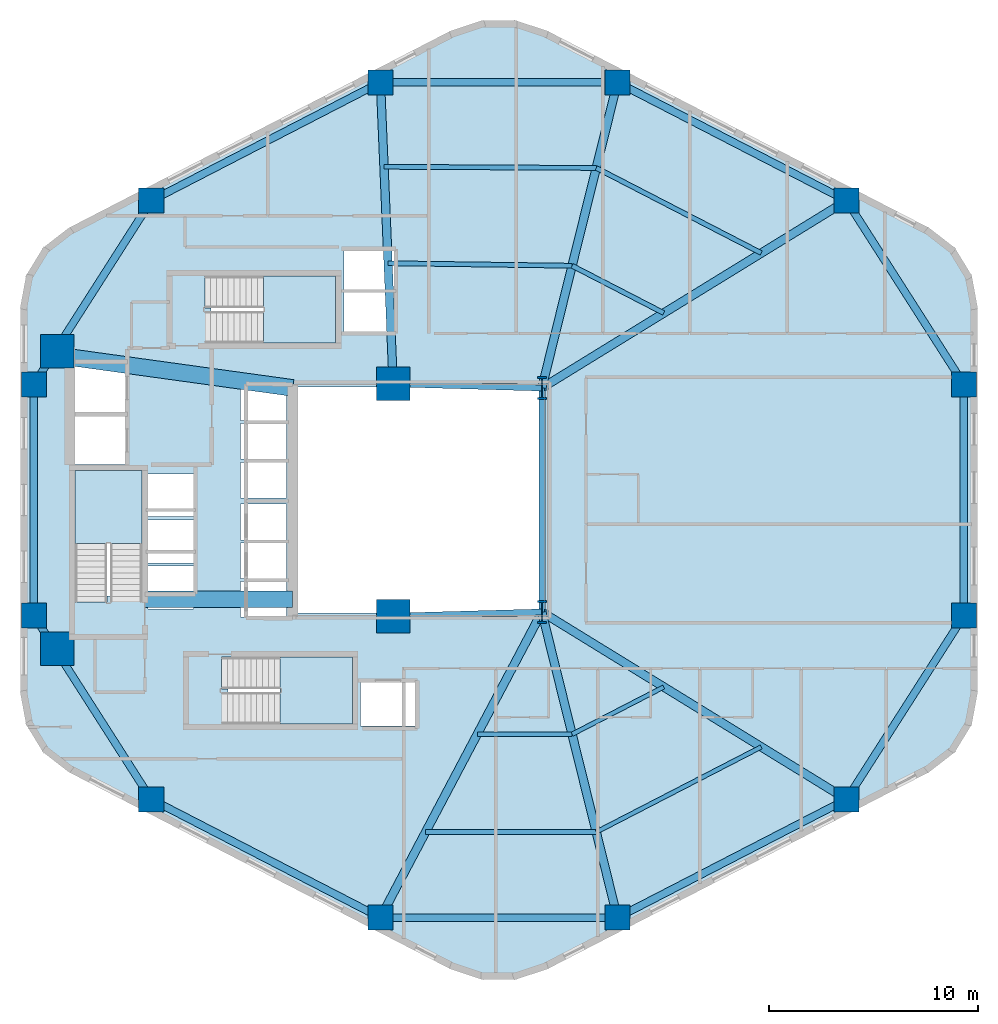
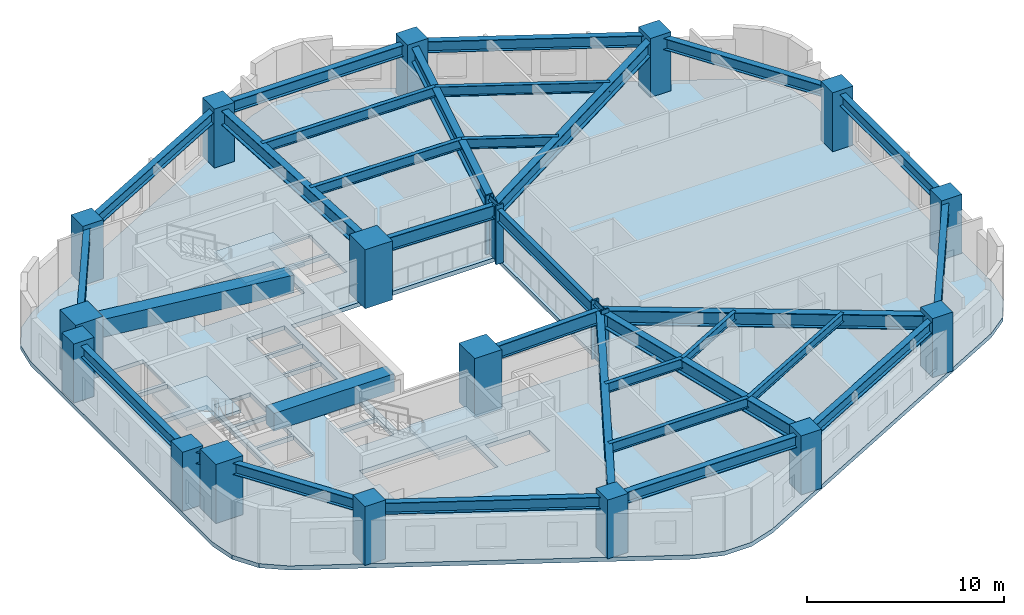
# One storey, part 1 of 7: 31 beams, 18 columns, 4 slabs, 3 elements without a shape of their own.
"""IFC4 building model written with IfcOpenShell, lengths in metres."""

from ifc_helpers import new_model, si_unit, direction, frame, origin, origin_2d, place, context, subcontext, project, spatial, polyline, rectangle, i_section, outline, extrude, material, layer, layer_set, material_profile, profile_set, type_object, element, aggregate, save


model = new_model("IFC4")

# Units and contexts
model_context = context("Model", 3, precision=1e-05, world=origin(), true_north=direction((0.0, 1.0)))
body_context = subcontext(model_context, "Body", "Model", "MODEL_VIEW")
ifc_project = project(units=[si_unit("LENGTHUNIT", "METRE"), si_unit("AREAUNIT", "SQUARE_METRE"), si_unit("VOLUMEUNIT", "CUBIC_METRE"), si_unit("PLANEANGLEUNIT", "RADIAN"), si_unit("MASSUNIT", "GRAM", prefix="KILO"), si_unit("THERMODYNAMICTEMPERATUREUNIT", "KELVIN"), si_unit("POWERUNIT", "WATT")], contexts=[model_context])

# Site, building, storey
site_placement = place(None, origin())
site = spatial("IfcSite", under=ifc_project, at=site_placement, CompositionType="ELEMENT")
building_placement = place(site_placement, origin())
building = spatial("IfcBuilding", under=site, at=building_placement, Name="Skarre Station Tower", CompositionType="ELEMENT")
storey_placement = place(building_placement, frame((0.0, 0.0, 74.449951171875)))
storey = spatial("IfcBuildingStorey", under=building, at=storey_placement, Name="L19", CompositionType="ELEMENT", Elevation=74.449951171875)

# Columns
ifc_material_1 = material(Name="Concrete C60/75", Category="concrete")
ifc_material_profile_1 = material_profile(ifc_material_1, rectangle(XDim=1.199951171875, YDim=1.199951171875, at=origin_2d()), Name="Concrete C60/75")
ifc_profile_set_1 = profile_set([ifc_material_profile_1], Name="Concrete C60/75")
column_type_1 = type_object("IfcColumnType", Name="RC Structural Column RC-COL-1200X1200", PredefinedType="COLUMN", material=ifc_profile_set_1)
for number, where, z_axis, x_axis, name in (
    (1, (54.007080078125, 38.298095703125, 0.0), (0.0, 0.0, 1.0), (1.0, 0.0, 0.0), "L19 Zone 1 Perimeter Column F0C1"),
    (2, (43.06005859375, 43.947021484375, 0.0), (0.0, 0.0, 1.0), (1.0, 0.0, 0.0), "L19 Zone 1 Perimeter Column F0C2"),
    (3, (31.739990234375, 43.947021484375, 0.0), (0.0, 0.0, 1.0), (1.0, 0.0, 0.0), "L19 Zone 1 Perimeter Column F1C1"),
    (4, (20.79296875, 38.298095703125, 0.0), (0.0, 0.0, 1.0), (1.0, 0.0, 0.0), "L19 Zone 1 Perimeter Column F1C2"),
    (5, (15.18701171875, 29.52099609375, 0.0), (0.0, 0.0, 1.0), (1.0, 0.0, 0.0), "L19 Zone 1 Perimeter Column F2C1"),
    (6, (15.18701171875, 18.47900390625, 0.0), (0.0, 0.0, 1.0), (1.0, 0.0, 0.0), "L19 Zone 1 Perimeter Column F2C2"),
    (7, (20.79296875, 9.701904296875, 0.0), (0.0, 0.0, 1.0), (1.0, 0.0, 0.0), "L19 Zone 1 Perimeter Column F3C1"),
    (8, (31.739990234375, 4.052978515625, 0.0), (0.0, 0.0, 1.0), (1.0, 0.0, 0.0), "L19 Zone 1 Perimeter Column F3C2"),
    (9, (43.06005859375, 4.052978515625, 0.0), (0.0, 0.0, 1.0), (1.0, 0.0, 0.0), "L19 Zone 1 Perimeter Column F4C1"),
    (10, (54.007080078125, 9.701904296875, 0.0), (0.0, 0.0, 1.0), (1.0, 0.0, 0.0), "L19 Zone 1 Perimeter Column F4C2"),
    (11, (59.613037109375, 18.47900390625, 0.0), (0.0, 0.0, 1.0), (1.0, 0.0, 0.0), "L19 Zone 1 Perimeter Column F5C1"),
    (12, (59.613037109375, 29.52099609375, 0.0), (0.0, 0.0, 1.0), (1.0, 0.0, 0.0), "L19 Zone 1 Perimeter Column F5C2"),
):
    element("IfcColumn", number, at=place(storey_placement, frame(where, z_axis=z_axis, x_axis=x_axis)), inside=storey, type_object=column_type_1, Name=name, PredefinedType="COLUMN", context=body_context, shape_type="SweptSolid", body=[
        extrude(rectangle(XDim=1.199951171875, YDim=1.199951171875, at=origin_2d()), origin(), (0.0, 0.0, 1.0), 3.650146484375),
    ])
ifc_material_2 = material(Name="Concrete C70/85", Category="concrete")
ifc_material_profile_2 = material_profile(ifc_material_2, rectangle(XDim=1.60009765625, YDim=1.60009765625, at=origin_2d()), Name="Concrete C70/85")
ifc_profile_set_2 = profile_set([ifc_material_profile_2], Name="Concrete C70/85")
column_type_2 = type_object("IfcColumnType", Name="RC Structural Column RC-COL-1600X1600", PredefinedType="COLUMN", material=ifc_profile_set_2)
for number, where, z_axis, x_axis, name in (
    (13, (16.300048828125, 16.89990234375, 0.0), (0.0, 0.0, 1.0), (1.0, 0.0, 0.0), "L19 Core Column CC-SW"),
    (14, (16.300048828125, 31.10009765625, 0.0), (0.0, 0.0, 1.0), (1.0, 0.0, 0.0), "L19 Core Column CC-NW"),
    (15, (32.35009765625, 18.449951171875, 0.0), (0.0, 0.0, 1.0), (1.0, 0.0, 0.0), "L19 Core Column CC-SE"),
    (16, (32.35009765625, 29.550048828125, 0.0), (0.0, 0.0, 1.0), (1.0, 0.0, 0.0), "L19 Core Column CC-NE"),
):
    element("IfcColumn", number, at=place(storey_placement, frame(where, z_axis=z_axis, x_axis=x_axis)), inside=storey, type_object=column_type_2, Name=name, PredefinedType="COLUMN", context=body_context, shape_type="SweptSolid", body=[
        extrude(rectangle(XDim=1.60009765625, YDim=1.60009765625, at=origin_2d()), origin(), (0.0, 0.0, 1.0), 3.650146484375),
    ])
ifc_material_3 = material(Name="Steel ASTM A913 Grade 65", Category="steel")
ifc_material_profile_3 = material_profile(ifc_material_3, i_section(OverallWidth=0.424072265625, OverallDepth=1.092041015625, WebThickness=0.044921875, FlangeThickness=0.08203125, at=origin_2d()), Name="Steel ASTM A913 Grade 65")
ifc_profile_set_3 = profile_set([ifc_material_profile_3], Name="Steel ASTM A913 Grade 65")
column_type_3 = type_object("IfcColumnType", Name="Steel Column W40X593", PredefinedType="COLUMN", material=ifc_profile_set_3)
for number, where, z_axis, x_axis, name in (
    (17, (39.449951171875, 18.64990234375, 0.0), (0.0, 0.0, 1.0), (1.0, 0.0, 0.0), "L19 Atrium Spine Column AC-SE"),
    (18, (39.449951171875, 29.35009765625, 0.0), (0.0, 0.0, 1.0), (1.0, 0.0, 0.0), "L19 Atrium Spine Column AC-NE"),
):
    element("IfcColumn", number, at=place(storey_placement, frame(where, z_axis=z_axis, x_axis=x_axis)), inside=storey, type_object=column_type_3, Name=name, PredefinedType="COLUMN", context=body_context, shape_type="SweptSolid", body=[
        extrude(i_section(OverallWidth=0.424072265625, OverallDepth=1.092041015625, WebThickness=0.044921875, FlangeThickness=0.08203125, at=origin_2d()), origin(), (0.0, 0.0, 1.0), 3.650146484375),
    ])

# Beams
ifc_material_profile_4 = material_profile(ifc_material_2, rectangle(XDim=0.800048828125, YDim=1.10009765625, at=origin_2d()), Name="Concrete C70/85")
ifc_profile_set_4 = profile_set([ifc_material_profile_4], Name="Concrete C70/85")
beam_type_1 = type_object("IfcBeamType", Name="RC Core Coupling Lintel 800x1100", PredefinedType="LINTEL", material=ifc_profile_set_4)
beam_1_placement = place(storey_placement, frame((20.489990234375, 19.260009765625, 2.840087890625), z_axis=(1.0, 0.0, 0.0), x_axis=(0.0, 1.0, 0.0)))
element("IfcBeam", 19, at=beam_1_placement, inside=storey, type_object=beam_type_1, Name="L19 South Core Coupling Lintel", PredefinedType="LINTEL", context=body_context, shape_type="SweptSolid", body=[
    extrude(rectangle(XDim=0.800048828125, YDim=1.10009765625, at=origin_2d()), origin(), (0.0, 0.0, 1.0), 7.06005859375),
])
beam_2_placement = place(storey_placement, frame((17.050048828125, 30.800048828125, 2.840087890625), z_axis=(0.990599723633, -0.136792498109, 0.0), x_axis=(0.136792498109, 0.990599723633, 0.0)))
element("IfcBeam", 20, at=beam_2_placement, inside=storey, type_object=beam_type_1, Name="L19 North Core Coupling Lintel", PredefinedType="LINTEL", context=body_context, shape_type="SweptSolid", body=[
    extrude(rectangle(XDim=0.800048828125, YDim=1.10009765625, at=origin_2d()), origin(), (0.0, 0.0, 1.0), 10.599609375),
])
ifc_material_4 = material(Name="Steel ASTM A992 Grade 50", Category="steel")
ifc_material_profile_5 = material_profile(ifc_material_4, i_section(OverallWidth=0.26806640625, OverallDepth=0.77001953125, WebThickness=0.01611328125, FlangeThickness=0.02490234375, at=origin_2d()), Name="Steel ASTM A992 Grade 50")
ifc_profile_set_5 = profile_set([ifc_material_profile_5], Name="Steel ASTM A992 Grade 50")
beam_type_2 = type_object("IfcBeamType", Name="Steel Beam W30X132", PredefinedType="BEAM", material=ifc_profile_set_5)
beam_3_placement = place(storey_placement, frame((39.449951171875, 18.64990234375, 3.005126953125), z_axis=(0.0, 1.0, 0.0), x_axis=(-1.0, 0.0, 0.0)))
element("IfcBeam", 21, at=beam_3_placement, inside=storey, type_object=beam_type_2, Name="L19 Atrium East Edge Girder", PredefinedType="BEAM", context=body_context, shape_type="SweptSolid", body=[
    extrude(i_section(OverallWidth=0.26806640625, OverallDepth=0.77001953125, WebThickness=0.01611328125, FlangeThickness=0.02490234375, at=origin_2d()), origin(), (0.0, 0.0, 1.0), 10.7001953125),
])
ifc_material_profile_6 = material_profile(ifc_material_4, i_section(OverallWidth=0.2919921875, OverallDepth=0.85888671875, WebThickness=0.01708984375, FlangeThickness=0.031005859375, at=origin_2d()), Name="Steel ASTM A992 Grade 50")
ifc_profile_set_6 = profile_set([ifc_material_profile_6], Name="Steel ASTM A992 Grade 50")
beam_type_3 = type_object("IfcBeamType", Name="Steel Beam W33X169", PredefinedType="BEAM", material=ifc_profile_set_6)
for number, where, z_axis, x_axis, name in (
    (22, (32.35009765625, 18.449951171875, 2.9599609375), (0.999603666405, 0.028151556095, 0.0), (-0.028151556095, 0.999603666405, 0.0), "L19 Atrium South Edge Girder"),
    (23, (32.35009765625, 29.550048828125, 2.9599609375), (0.999603666405, -0.028151556095, 0.0), (0.028151556095, 0.999603666405, 0.0), "L19 Atrium North Edge Girder"),
):
    element("IfcBeam", number, at=place(storey_placement, frame(where, z_axis=z_axis, x_axis=x_axis)), inside=storey, type_object=beam_type_3, Name=name, PredefinedType="BEAM", context=body_context, shape_type="SweptSolid", body=[
        extrude(i_section(OverallWidth=0.2919921875, OverallDepth=0.85888671875, WebThickness=0.01708984375, FlangeThickness=0.031005859375, at=origin_2d()), origin(), (0.0, 0.0, 1.0), 7.102783203125),
    ])
ifc_material_profile_7 = material_profile(ifc_material_4, i_section(OverallWidth=0.40087890625, OverallDepth=0.876953125, WebThickness=0.02197265625, FlangeThickness=0.0400390625, at=origin_2d()), Name="Steel ASTM A992 Grade 50")
ifc_profile_set_7 = profile_set([ifc_material_profile_7], Name="Steel ASTM A992 Grade 50")
beam_type_4 = type_object("IfcBeamType", Name="Steel Beam W33X263", PredefinedType="BEAM", material=ifc_profile_set_7)
beam_4_placement = place(storey_placement, frame((39.449951171875, 29.35009765625, 2.950927734375), z_axis=(0.851925565957, 0.523662897358, 0.0), x_axis=(-0.523662897358, 0.851925565957, 0.0)))
element("IfcBeam", 24, at=beam_4_placement, inside=storey, type_object=beam_type_4, Name="L19 Radial Floor Girder F0C1", PredefinedType="BEAM", context=body_context, shape_type="SweptSolid", body=[
    extrude(i_section(OverallWidth=0.40087890625, OverallDepth=0.876953125, WebThickness=0.02197265625, FlangeThickness=0.0400390625, at=origin_2d()), origin(), (0.0, 0.0, 1.0), 17.08740234375),
])
beam_5_placement = place(storey_placement, frame((39.449951171875, 29.35009765625, 2.950927734375), z_axis=(0.240086037639, 0.9707516132, 0.0), x_axis=(-0.9707516132, 0.240086037639, 0.0)))
element("IfcBeam", 25, at=beam_5_placement, inside=storey, type_object=beam_type_4, Name="L19 Radial Floor Girder F0C2", PredefinedType="BEAM", context=body_context, shape_type="SweptSolid", body=[
    extrude(i_section(OverallWidth=0.40087890625, OverallDepth=0.876953125, WebThickness=0.02197265625, FlangeThickness=0.0400390625, at=origin_2d()), origin(), (0.0, 0.0, 1.0), 15.03662109375),
])
beam_6_placement = place(storey_placement, frame((32.35009765625, 29.550048828125, 2.950927734375), z_axis=(-0.042339479433, 0.999103282189, 0.0), x_axis=(-0.999103282189, -0.042339479433, 0.0)))
element("IfcBeam", 26, at=beam_6_placement, inside=storey, type_object=beam_type_4, Name="L19 Radial Floor Girder F1C1", PredefinedType="BEAM", context=body_context, shape_type="SweptSolid", body=[
    extrude(i_section(OverallWidth=0.40087890625, OverallDepth=0.876953125, WebThickness=0.02197265625, FlangeThickness=0.0400390625, at=origin_2d()), origin(), (0.0, 0.0, 1.0), 14.409912109375),
])
beam_7_placement = place(storey_placement, frame((39.449951171875, 18.64990234375, 2.950927734375), z_axis=(-0.467044240884, -0.884233949279, 0.0), x_axis=(0.884233949279, -0.467044240884, 0.0)))
element("IfcBeam", 27, at=beam_7_placement, inside=storey, type_object=beam_type_4, Name="L19 Radial Floor Girder F3C2", PredefinedType="BEAM", context=body_context, shape_type="SweptSolid", body=[
    extrude(i_section(OverallWidth=0.40087890625, OverallDepth=0.876953125, WebThickness=0.02197265625, FlangeThickness=0.0400390625, at=origin_2d()), origin(), (0.0, 0.0, 1.0), 16.508056640625),
])
beam_8_placement = place(storey_placement, frame((39.449951171875, 18.64990234375, 2.950927734375), z_axis=(0.240086037639, -0.9707516132, 0.0), x_axis=(0.9707516132, 0.240086037639, 0.0)))
element("IfcBeam", 28, at=beam_8_placement, inside=storey, type_object=beam_type_4, Name="L19 Radial Floor Girder F4C1", PredefinedType="BEAM", context=body_context, shape_type="SweptSolid", body=[
    extrude(i_section(OverallWidth=0.40087890625, OverallDepth=0.876953125, WebThickness=0.02197265625, FlangeThickness=0.0400390625, at=origin_2d()), origin(), (0.0, 0.0, 1.0), 15.03662109375),
])
beam_9_placement = place(storey_placement, frame((39.449951171875, 18.64990234375, 2.950927734375), z_axis=(0.851925565957, -0.523662897358, 0.0), x_axis=(0.523662897358, 0.851925565957, 0.0)))
element("IfcBeam", 29, at=beam_9_placement, inside=storey, type_object=beam_type_4, Name="L19 Radial Floor Girder F4C2", PredefinedType="BEAM", context=body_context, shape_type="SweptSolid", body=[
    extrude(i_section(OverallWidth=0.40087890625, OverallDepth=0.876953125, WebThickness=0.02197265625, FlangeThickness=0.0400390625, at=origin_2d()), origin(), (0.0, 0.0, 1.0), 17.08740234375),
])
ifc_material_profile_8 = material_profile(ifc_material_4, i_section(OverallWidth=0.208984375, OverallDepth=0.532958984375, WebThickness=0.010009765625, FlangeThickness=0.01611328125, at=origin_2d()), Name="Steel ASTM A992 Grade 50")
ifc_profile_set_8 = profile_set([ifc_material_profile_8], Name="Steel ASTM A992 Grade 50")
beam_type_5 = type_object("IfcBeamType", Name="Steel Joist W21X62", PredefinedType="JOIST", material=ifc_profile_set_8)
beam_10_placement = place(storey_placement, frame((40.89404296875, 12.81103515625, 3.1240234375), z_axis=(0.888626519249, 0.458631561591, 0.0), x_axis=(-0.458631561591, 0.888626519249, 0.0)))
element("IfcBeam", 30, at=beam_10_placement, inside=storey, type_object=beam_type_5, Name="L19 Auxiliary Composite Joist 7", PredefinedType="JOIST", context=body_context, shape_type="SweptSolid", body=[
    extrude(i_section(OverallWidth=0.208984375, OverallDepth=0.532958984375, WebThickness=0.010009765625, FlangeThickness=0.01611328125, at=origin_2d()), origin(), (0.0, 0.0, 1.0), 4.927734375),
])
beam_11_placement = place(storey_placement, frame((42.049072265625, 8.139892578125, 3.1240234375), z_axis=(0.88866227096, 0.458562283853, 0.0), x_axis=(-0.458562283853, 0.88866227096, 0.0)))
element("IfcBeam", 31, at=beam_11_placement, inside=storey, type_object=beam_type_5, Name="L19 Auxiliary Composite Joist 8", PredefinedType="JOIST", context=body_context, shape_type="SweptSolid", body=[
    extrude(i_section(OverallWidth=0.208984375, OverallDepth=0.532958984375, WebThickness=0.010009765625, FlangeThickness=0.01611328125, at=origin_2d()), origin(), (0.0, 0.0, 1.0), 8.869384765625),
])
ifc_material_profile_9 = material_profile(ifc_material_4, i_section(OverallWidth=0.22802734375, OverallDepth=0.60791015625, WebThickness=0.010986328125, FlangeThickness=0.01708984375, at=origin_2d()), Name="Steel ASTM A992 Grade 50")
ifc_profile_set_9 = profile_set([ifc_material_profile_9], Name="Steel ASTM A992 Grade 50")
beam_type_6 = type_object("IfcBeamType", Name="Steel Joist W24X76", PredefinedType="JOIST", material=ifc_profile_set_9)
beam_12_placement = place(storey_placement, frame((45.27294921875, 32.928955078125, 3.0859375), z_axis=(-0.888626519249, 0.458631561591, 0.0), x_axis=(-0.458631561591, -0.888626519249, 0.0)))
element("IfcBeam", 32, at=beam_12_placement, inside=storey, type_object=beam_type_6, Name="L19 Secondary Floor Joist 1", PredefinedType="JOIST", context=body_context, shape_type="SweptSolid", body=[
    extrude(i_section(OverallWidth=0.22802734375, OverallDepth=0.60791015625, WebThickness=0.010986328125, FlangeThickness=0.01708984375, at=origin_2d()), origin(), (0.0, 0.0, 1.0), 4.927734375),
])
beam_13_placement = place(storey_placement, frame((49.930908203125, 35.79296875, 3.0859375), z_axis=(-0.88866227096, 0.458562283853, 0.0), x_axis=(-0.458562283853, -0.88866227096, 0.0)))
element("IfcBeam", 33, at=beam_13_placement, inside=storey, type_object=beam_type_6, Name="L19 Secondary Floor Joist 2", PredefinedType="JOIST", context=body_context, shape_type="SweptSolid", body=[
    extrude(i_section(OverallWidth=0.22802734375, OverallDepth=0.60791015625, WebThickness=0.010986328125, FlangeThickness=0.01708984375, at=origin_2d()), origin(), (0.0, 0.0, 1.0), 8.869384765625),
])
beam_14_placement = place(storey_placement, frame((40.89404296875, 35.18896484375, 3.0859375), z_axis=(-0.999906603441, 0.013666908792, 0.0), x_axis=(-0.013666908792, -0.999906603441, 0.0)))
element("IfcBeam", 34, at=beam_14_placement, inside=storey, type_object=beam_type_6, Name="L19 Secondary Floor Joist 3", PredefinedType="JOIST", context=body_context, shape_type="SweptSolid", body=[
    extrude(i_section(OverallWidth=0.22802734375, OverallDepth=0.60791015625, WebThickness=0.010986328125, FlangeThickness=0.01708984375, at=origin_2d()), origin(), (0.0, 0.0, 1.0), 8.788818359375),
])
beam_15_placement = place(storey_placement, frame((42.049072265625, 39.860107421875, 3.0859375), z_axis=(-0.999984794845, 0.005514533498, 0.0), x_axis=(-0.005514533498, -0.999984794845, 0.0)))
element("IfcBeam", 35, at=beam_15_placement, inside=storey, type_object=beam_type_6, Name="L19 Secondary Floor Joist 4", PredefinedType="JOIST", context=body_context, shape_type="SweptSolid", body=[
    extrude(i_section(OverallWidth=0.22802734375, OverallDepth=0.60791015625, WebThickness=0.010986328125, FlangeThickness=0.01708984375, at=origin_2d()), origin(), (0.0, 0.0, 1.0), 10.138427734375),
])
beam_16_placement = place(storey_placement, frame((36.365966796875, 12.81103515625, 3.0859375), z_axis=(1.0, 0.0, 0.0), x_axis=(0.0, 1.0, 0.0)))
element("IfcBeam", 36, at=beam_16_placement, inside=storey, type_object=beam_type_6, Name="L19 Secondary Floor Joist 5", PredefinedType="JOIST", context=body_context, shape_type="SweptSolid", body=[
    extrude(i_section(OverallWidth=0.22802734375, OverallDepth=0.60791015625, WebThickness=0.010986328125, FlangeThickness=0.01708984375, at=origin_2d()), origin(), (0.0, 0.0, 1.0), 4.528076171875),
])
beam_17_placement = place(storey_placement, frame((33.89892578125, 8.139892578125, 3.0859375), z_axis=(1.0, 0.0, 0.0), x_axis=(0.0, 1.0, 0.0)))
element("IfcBeam", 37, at=beam_17_placement, inside=storey, type_object=beam_type_6, Name="L19 Secondary Floor Joist 6", PredefinedType="JOIST", context=body_context, shape_type="SweptSolid", body=[
    extrude(i_section(OverallWidth=0.22802734375, OverallDepth=0.60791015625, WebThickness=0.010986328125, FlangeThickness=0.01708984375, at=origin_2d()), origin(), (0.0, 0.0, 1.0), 8.150146484375),
])
ifc_material_profile_10 = material_profile(ifc_material_4, i_section(OverallWidth=0.35791015625, OverallDepth=0.7060546875, WebThickness=0.01806640625, FlangeThickness=0.030029296875, at=origin_2d()), Name="Steel ASTM A992 Grade 50")
ifc_profile_set_10 = profile_set([ifc_material_profile_10], Name="Steel ASTM A992 Grade 50")
beam_type_7 = type_object("IfcBeamType", Name="Steel Spandrel W27X178", PredefinedType="SPANDREL", material=ifc_profile_set_10)
beam_18_placement = place(storey_placement, frame((54.007080078125, 38.298095703125, 3.037109375), z_axis=(-0.888658695823, 0.458569212158, 0.0), x_axis=(-0.458569212158, -0.888658695823, 0.0)))
element("IfcBeam", 38, at=beam_18_placement, inside=storey, type_object=beam_type_7, Name="L19 Facet Spandrel Beam 1", PredefinedType="SPANDREL", context=body_context, shape_type="SweptSolid", body=[
    extrude(i_section(OverallWidth=0.35791015625, OverallDepth=0.7060546875, WebThickness=0.01806640625, FlangeThickness=0.030029296875, at=origin_2d()), origin(), (0.0, 0.0, 1.0), 12.318603515625),
])
beam_19_placement = place(storey_placement, frame((43.06005859375, 43.947021484375, 3.037109375), z_axis=(-1.0, 0.0, 0.0), x_axis=(0.0, -1.0, 0.0)))
element("IfcBeam", 39, at=beam_19_placement, inside=storey, type_object=beam_type_7, Name="L19 Facet Spandrel Beam 2", PredefinedType="SPANDREL", context=body_context, shape_type="SweptSolid", body=[
    extrude(i_section(OverallWidth=0.35791015625, OverallDepth=0.7060546875, WebThickness=0.01806640625, FlangeThickness=0.030029296875, at=origin_2d()), origin(), (0.0, 0.0, 1.0), 11.320068359375),
])
beam_20_placement = place(storey_placement, frame((31.739990234375, 43.947021484375, 3.037109375), z_axis=(-0.888658695823, -0.458569212158, 0.0), x_axis=(0.458569212158, -0.888658695823, 0.0)))
element("IfcBeam", 40, at=beam_20_placement, inside=storey, type_object=beam_type_7, Name="L19 Facet Spandrel Beam 3", PredefinedType="SPANDREL", context=body_context, shape_type="SweptSolid", body=[
    extrude(i_section(OverallWidth=0.35791015625, OverallDepth=0.7060546875, WebThickness=0.01806640625, FlangeThickness=0.030029296875, at=origin_2d()), origin(), (0.0, 0.0, 1.0), 12.318603515625),
])
beam_21_placement = place(storey_placement, frame((20.79296875, 38.298095703125, 3.037109375), z_axis=(-0.538277829225, -0.842767452246, 0.0), x_axis=(0.842767452246, -0.538277829225, 0.0)))
element("IfcBeam", 41, at=beam_21_placement, inside=storey, type_object=beam_type_7, Name="L19 Facet Spandrel Beam 4", PredefinedType="SPANDREL", context=body_context, shape_type="SweptSolid", body=[
    extrude(i_section(OverallWidth=0.35791015625, OverallDepth=0.7060546875, WebThickness=0.01806640625, FlangeThickness=0.030029296875, at=origin_2d()), origin(), (0.0, 0.0, 1.0), 10.41455078125),
])
beam_22_placement = place(storey_placement, frame((15.18701171875, 29.52099609375, 3.037109375), z_axis=(0.0, -1.0, 0.0), x_axis=(1.0, 0.0, 0.0)))
element("IfcBeam", 42, at=beam_22_placement, inside=storey, type_object=beam_type_7, Name="L19 Facet Spandrel Beam 5", PredefinedType="SPANDREL", context=body_context, shape_type="SweptSolid", body=[
    extrude(i_section(OverallWidth=0.35791015625, OverallDepth=0.7060546875, WebThickness=0.01806640625, FlangeThickness=0.030029296875, at=origin_2d()), origin(), (0.0, 0.0, 1.0), 11.0419921875),
])
beam_23_placement = place(storey_placement, frame((15.18701171875, 18.47900390625, 3.037109375), z_axis=(0.538277829225, -0.842767452246, 0.0), x_axis=(0.842767452246, 0.538277829225, 0.0)))
element("IfcBeam", 43, at=beam_23_placement, inside=storey, type_object=beam_type_7, Name="L19 Facet Spandrel Beam 6", PredefinedType="SPANDREL", context=body_context, shape_type="SweptSolid", body=[
    extrude(i_section(OverallWidth=0.35791015625, OverallDepth=0.7060546875, WebThickness=0.01806640625, FlangeThickness=0.030029296875, at=origin_2d()), origin(), (0.0, 0.0, 1.0), 10.41455078125),
])
beam_24_placement = place(storey_placement, frame((20.79296875, 9.701904296875, 3.037109375), z_axis=(0.888658695823, -0.458569212158, 0.0), x_axis=(0.458569212158, 0.888658695823, 0.0)))
element("IfcBeam", 44, at=beam_24_placement, inside=storey, type_object=beam_type_7, Name="L19 Facet Spandrel Beam 7", PredefinedType="SPANDREL", context=body_context, shape_type="SweptSolid", body=[
    extrude(i_section(OverallWidth=0.35791015625, OverallDepth=0.7060546875, WebThickness=0.01806640625, FlangeThickness=0.030029296875, at=origin_2d()), origin(), (0.0, 0.0, 1.0), 12.318603515625),
])
beam_25_placement = place(storey_placement, frame((31.739990234375, 4.052978515625, 3.037109375), z_axis=(1.0, 0.0, 0.0), x_axis=(0.0, 1.0, 0.0)))
element("IfcBeam", 45, at=beam_25_placement, inside=storey, type_object=beam_type_7, Name="L19 Facet Spandrel Beam 8", PredefinedType="SPANDREL", context=body_context, shape_type="SweptSolid", body=[
    extrude(i_section(OverallWidth=0.35791015625, OverallDepth=0.7060546875, WebThickness=0.01806640625, FlangeThickness=0.030029296875, at=origin_2d()), origin(), (0.0, 0.0, 1.0), 11.320068359375),
])
beam_26_placement = place(storey_placement, frame((43.06005859375, 4.052978515625, 3.037109375), z_axis=(0.888658695823, 0.458569212158, 0.0), x_axis=(-0.458569212158, 0.888658695823, 0.0)))
element("IfcBeam", 46, at=beam_26_placement, inside=storey, type_object=beam_type_7, Name="L19 Facet Spandrel Beam 9", PredefinedType="SPANDREL", context=body_context, shape_type="SweptSolid", body=[
    extrude(i_section(OverallWidth=0.35791015625, OverallDepth=0.7060546875, WebThickness=0.01806640625, FlangeThickness=0.030029296875, at=origin_2d()), origin(), (0.0, 0.0, 1.0), 12.318603515625),
])
beam_27_placement = place(storey_placement, frame((54.007080078125, 9.701904296875, 3.037109375), z_axis=(0.538277829225, 0.842767452246, 0.0), x_axis=(-0.842767452246, 0.538277829225, 0.0)))
element("IfcBeam", 47, at=beam_27_placement, inside=storey, type_object=beam_type_7, Name="L19 Facet Spandrel Beam 10", PredefinedType="SPANDREL", context=body_context, shape_type="SweptSolid", body=[
    extrude(i_section(OverallWidth=0.35791015625, OverallDepth=0.7060546875, WebThickness=0.01806640625, FlangeThickness=0.030029296875, at=origin_2d()), origin(), (0.0, 0.0, 1.0), 10.41455078125),
])
beam_28_placement = place(storey_placement, frame((59.613037109375, 18.47900390625, 3.037109375), z_axis=(0.0, 1.0, 0.0), x_axis=(-1.0, 0.0, 0.0)))
element("IfcBeam", 48, at=beam_28_placement, inside=storey, type_object=beam_type_7, Name="L19 Facet Spandrel Beam 11", PredefinedType="SPANDREL", context=body_context, shape_type="SweptSolid", body=[
    extrude(i_section(OverallWidth=0.35791015625, OverallDepth=0.7060546875, WebThickness=0.01806640625, FlangeThickness=0.030029296875, at=origin_2d()), origin(), (0.0, 0.0, 1.0), 11.0419921875),
])
beam_29_placement = place(storey_placement, frame((59.613037109375, 29.52099609375, 3.037109375), z_axis=(-0.538277829225, 0.842767452246, 0.0), x_axis=(-0.842767452246, -0.538277829225, 0.0)))
element("IfcBeam", 49, at=beam_29_placement, inside=storey, type_object=beam_type_7, Name="L19 Facet Spandrel Beam 12", PredefinedType="SPANDREL", context=body_context, shape_type="SweptSolid", body=[
    extrude(i_section(OverallWidth=0.35791015625, OverallDepth=0.7060546875, WebThickness=0.01806640625, FlangeThickness=0.030029296875, at=origin_2d()), origin(), (0.0, 0.0, 1.0), 10.41455078125),
])

# Stair, slab
ifc_material_5 = material(Name="Concrete C40/50", Category="concrete")
stair_type_1 = type_object("IfcStairType", Name="Reinforced Concrete Exit Stair ST-1", PredefinedType="HALF_TURN_STAIR", material=ifc_material_5)
stair_1_placement = place(storey_placement, origin())
stair_1 = element("IfcStair", 50, at=stair_1_placement, inside=storey, type_object=stair_type_1, Name="L19 Core Exit Stair ST-1", PredefinedType="HALF_TURN_STAIR")
ifc_layer_1 = layer(ifc_material_5, 0.219970703125, Name="Concrete C40/50")
ifc_layer_set_1 = layer_set([ifc_layer_1], Name="Concrete C40/50")
slab_type_1 = type_object("IfcSlabType", Name="Reinforced Concrete Stair & Ramp Landing 220", PredefinedType="LANDING", material=ifc_layer_set_1)
slab_1_placement = place(storey_placement, frame((0.0, 0.0, 1.625)))
slab_1 = element("IfcSlab", 51, at=slab_1_placement, type_object=slab_type_1, Name="ST-1 landing 1", PredefinedType="LANDING", context=body_context, shape_type="SweptSolid", body=[
    extrude(outline(polyline([(20.35009765625, 21.919921875), (20.35009765625, 25.39990234375), (17.14990234375, 25.39990234375), (17.14990234375, 21.919921875), (20.35009765625, 21.919921875)])), origin(), (0.0, 0.0, 1.0), 0.199951171875),
])
aggregate(stair_1, [slab_1])

stair_type_2 = type_object("IfcStairType", Name="Reinforced Concrete Exit Stair ST-2", PredefinedType="HALF_TURN_STAIR", material=ifc_material_5)
stair_2_placement = place(storey_placement, origin())
stair_2 = element("IfcStair", 52, at=stair_2_placement, inside=storey, type_object=stair_type_2, Name="L19 Core Exit Stair ST-2", PredefinedType="HALF_TURN_STAIR")
slab_2_placement = place(storey_placement, frame((0.0, 0.0, 1.625)))
slab_2 = element("IfcSlab", 53, at=slab_2_placement, type_object=slab_type_1, Name="ST-2 landing 1", PredefinedType="LANDING", context=body_context, shape_type="SweptSolid", body=[
    extrude(outline(polyline([(26.949951171875, 13.300048828125), (30.39990234375, 13.300048828125), (30.39990234375, 16.5), (26.949951171875, 16.5), (26.949951171875, 13.300048828125)])), origin(), (0.0, 0.0, 1.0), 0.199951171875),
])
aggregate(stair_2, [slab_2])

stair_type_3 = type_object("IfcStairType", Name="Reinforced Concrete Exit Stair ST-3", PredefinedType="HALF_TURN_STAIR", material=ifc_material_5)
stair_3_placement = place(storey_placement, origin())
stair_3 = element("IfcStair", 54, at=stair_3_placement, inside=storey, type_object=stair_type_3, Name="L19 Core Exit Stair ST-3", PredefinedType="HALF_TURN_STAIR")
slab_3_placement = place(storey_placement, frame((0.0, 0.0, 1.625)))
slab_3 = element("IfcSlab", 55, at=slab_3_placement, type_object=slab_type_1, Name="ST-3 landing 1", PredefinedType="LANDING", context=body_context, shape_type="SweptSolid", body=[
    extrude(outline(polyline([(26.14990234375, 31.5), (29.60009765625, 31.5), (29.60009765625, 34.699951171875), (26.14990234375, 34.699951171875), (26.14990234375, 31.5)])), origin(), (0.0, 0.0, 1.0), 0.199951171875),
])
aggregate(stair_3, [slab_3])

# Slab
ifc_material_6 = material(Name="Concrete C50/60", Category="concrete")
ifc_layer_2 = layer(ifc_material_6, 0.260009765625, Name="Concrete C50/60")
ifc_layer_set_2 = layer_set([ifc_layer_2], Name="Concrete C50/60")
slab_type_2 = type_object("IfcSlabType", Name="Tower Typical Composite Floor Slab 260", PredefinedType="FLOOR", material=ifc_layer_set_2)
slab_4_placement = place(storey_placement, frame((0.0, 0.0, -0.260009765625)))
element("IfcSlab", 56, at=slab_4_placement, inside=storey, type_object=slab_type_2, Name="L19 Zone 1 Structural Floor Slab", PredefinedType="FLOOR", context=body_context, shape_type="SweptSolid", body=[
    extrude(outline(polyline([(60.262939453125, 33.201904296875), (59.98193359375, 34.72412109375), (59.177001953125, 36.044921875), (57.9541015625, 36.991943359375), (39.708984375, 46.407958984375), (38.196044921875, 46.906005859375), (36.60400390625, 46.906005859375), (35.091064453125, 46.407958984375), (16.845947265625, 36.991943359375), (15.623046875, 36.044921875), (14.818115234375, 34.72412109375), (14.537109375, 33.201904296875), (14.537109375, 14.798095703125), (14.818115234375, 13.27587890625), (15.623046875, 11.955078125), (16.845947265625, 11.008056640625), (35.091064453125, 1.592041015625), (36.60400390625, 1.093994140625), (38.196044921875, 1.093994140625), (39.708984375, 1.592041015625), (57.9541015625, 11.008056640625), (59.177001953125, 11.955078125), (59.98193359375, 13.27587890625), (60.262939453125, 14.798095703125), (60.262939453125, 33.201904296875)]), holes=[polyline([(18.669921875, 19.419921875), (18.669921875, 19.123046875), (17.14990234375, 19.123046875), (17.14990234375, 25.39990234375), (20.35009765625, 25.39990234375), (20.35009765625, 19.419921875), (18.669921875, 19.419921875)]), polyline([(24.449951171875, 14.97998046875), (24.153076171875, 14.97998046875), (24.153076171875, 16.5), (30.39990234375, 16.5), (30.39990234375, 13.300048828125), (24.449951171875, 13.300048828125), (24.449951171875, 14.97998046875)]), polyline([(23.64990234375, 33.179931640625), (23.35302734375, 33.179931640625), (23.35302734375, 34.699951171875), (29.60009765625, 34.699951171875), (29.60009765625, 31.5), (23.64990234375, 31.5), (23.64990234375, 33.179931640625)]), polyline([(17.14990234375, 28.0), (19.550048828125, 28.0), (19.550048828125, 25.699951171875), (17.14990234375, 25.699951171875), (17.14990234375, 28.0)]), polyline([(17.14990234375, 30.5), (19.550048828125, 30.5), (19.550048828125, 28.199951171875), (17.14990234375, 28.199951171875), (17.14990234375, 30.5)]), polyline([(30.800048828125, 15.300048828125), (33.39990234375, 15.300048828125), (33.39990234375, 13.199951171875), (30.800048828125, 13.199951171875), (30.800048828125, 15.300048828125)]), polyline([(25.050048828125, 20.10009765625), (27.25, 20.10009765625), (27.25, 18.39990234375), (25.050048828125, 18.39990234375), (25.050048828125, 20.10009765625)]), polyline([(25.050048828125, 21.949951171875), (27.25, 21.949951171875), (27.25, 20.25), (25.050048828125, 20.25), (25.050048828125, 21.949951171875)]), polyline([(25.050048828125, 23.800048828125), (27.25, 23.800048828125), (27.25, 22.10009765625), (25.050048828125, 22.10009765625), (25.050048828125, 23.800048828125)]), polyline([(25.050048828125, 25.800048828125), (27.25, 25.800048828125), (27.25, 24.10009765625), (25.050048828125, 24.10009765625), (25.050048828125, 25.800048828125)]), polyline([(25.050048828125, 27.64990234375), (27.25, 27.64990234375), (27.25, 25.949951171875), (25.050048828125, 25.949951171875), (25.050048828125, 27.64990234375)]), polyline([(25.050048828125, 29.5), (27.25, 29.5), (27.25, 27.800048828125), (25.050048828125, 27.800048828125), (25.050048828125, 29.5)]), polyline([(20.64990234375, 20.85009765625), (22.800048828125, 20.85009765625), (22.800048828125, 18.800048828125), (20.64990234375, 18.800048828125), (20.64990234375, 20.85009765625)]), polyline([(20.64990234375, 23.050048828125), (22.800048828125, 23.050048828125), (22.800048828125, 21.0), (20.64990234375, 21.0), (20.64990234375, 23.050048828125)]), polyline([(20.64990234375, 25.25), (22.800048828125, 25.25), (22.800048828125, 23.199951171875), (20.64990234375, 23.199951171875), (20.64990234375, 25.25)]), polyline([(30.0, 33.89990234375), (32.39990234375, 33.89990234375), (32.39990234375, 32.050048828125), (30.0, 32.050048828125), (30.0, 33.89990234375)]), polyline([(30.0, 35.89990234375), (32.39990234375, 35.89990234375), (32.39990234375, 34.050048828125), (30.0, 34.050048828125), (30.0, 35.89990234375)]), polyline([(27.60009765625, 29.39990234375), (39.60009765625, 29.39990234375), (39.60009765625, 18.60009765625), (27.60009765625, 18.60009765625), (27.60009765625, 29.39990234375)])]), origin(), (0.0, 0.0, 1.0), 0.260009765625),
])

save(model, "model.ifc")
